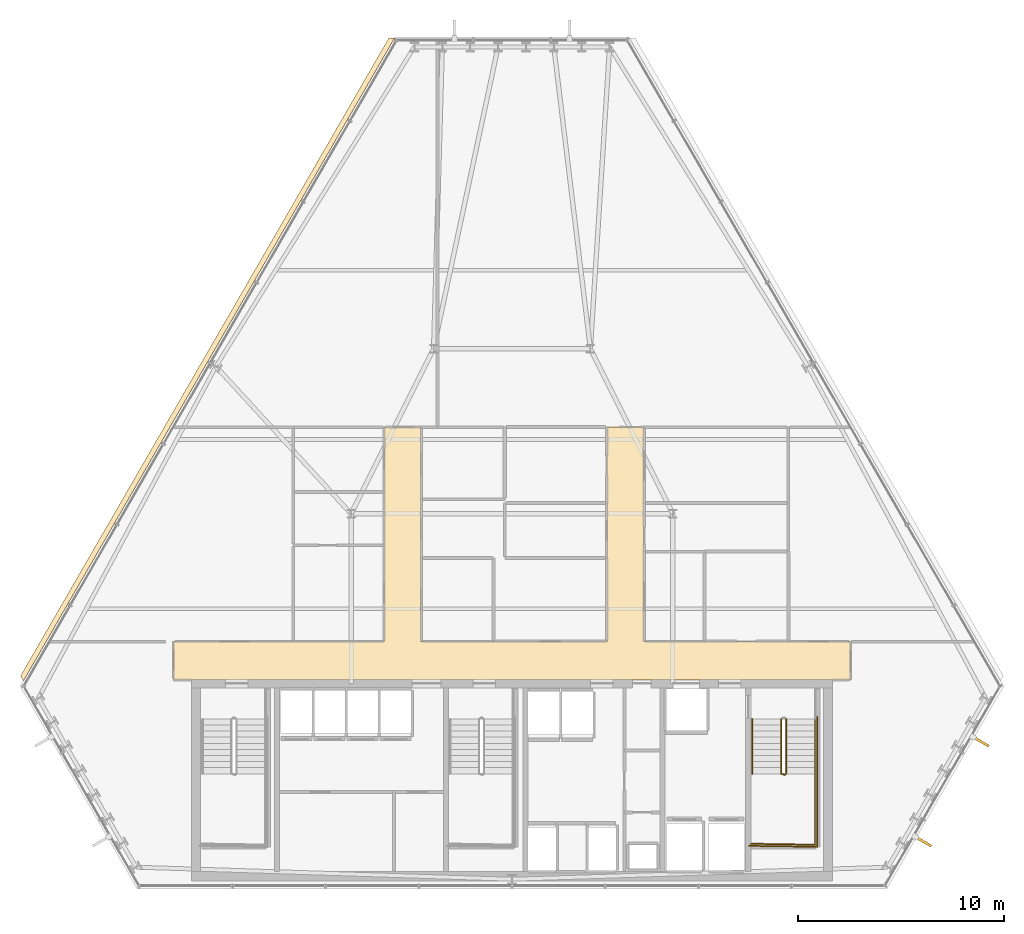
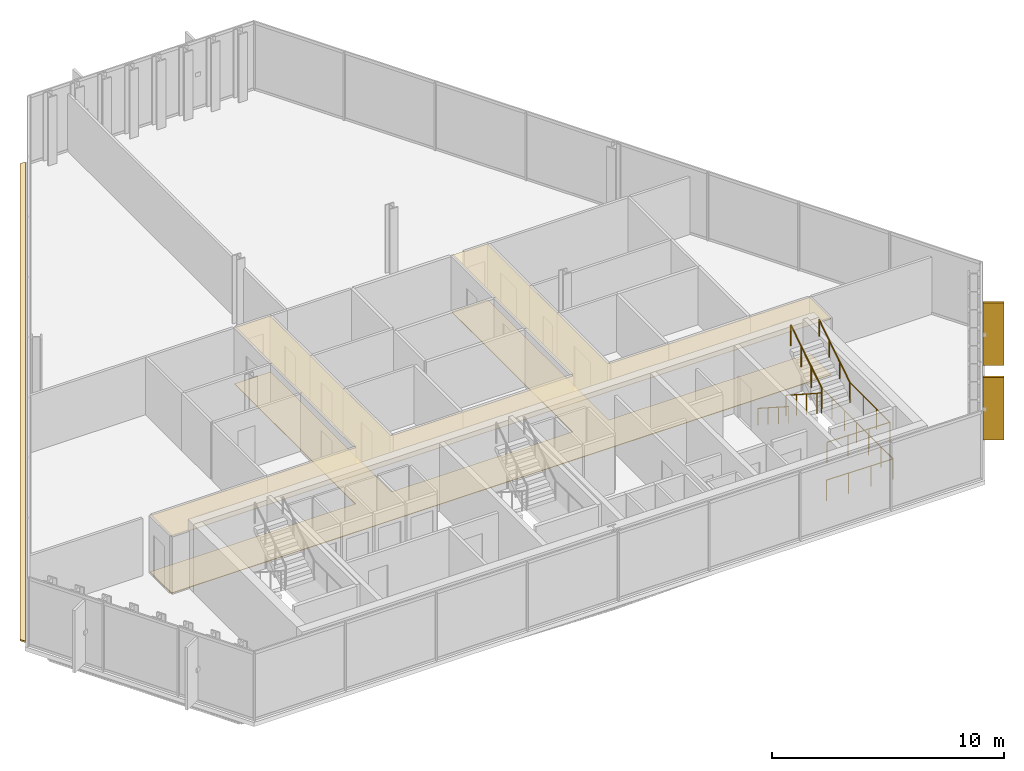
# One storey, part 31 of 33: 6 railings, 3 coverings, 2 shading devices.
"""IFC4 building model written with IfcOpenShell, lengths in metres."""

from ifc_helpers import new_model, si_unit, direction, frame, origin, origin_2d, place, context, subcontext, project, spatial, polyline, rectangle, circle, outline, extrude, material, layer, layer_set, type_object, element, save


model = new_model("IFC4")

# Units and contexts
model_context = context("Model", 3, precision=1e-05, world=origin(), true_north=direction((0.0, 1.0)))
body_context = subcontext(model_context, "Body", "Model", "MODEL_VIEW")
ifc_project = project(units=[si_unit("LENGTHUNIT", "METRE"), si_unit("AREAUNIT", "SQUARE_METRE"), si_unit("VOLUMEUNIT", "CUBIC_METRE"), si_unit("PLANEANGLEUNIT", "RADIAN"), si_unit("MASSUNIT", "GRAM", prefix="KILO")], contexts=[model_context])

# Site, building, storey
site_placement = place(None, origin())
site = spatial("IfcSite", under=ifc_project, at=site_placement, CompositionType="ELEMENT")
building_placement = place(site_placement, origin())
building = spatial("IfcBuilding", under=site, at=building_placement, Name="Ndaravel Arena Tower", CompositionType="ELEMENT")
storey_placement = place(building_placement, frame((0.0, 0.0, 149.800048828125)))
storey = spatial("IfcBuildingStorey", under=building, at=storey_placement, Name="L35", CompositionType="ELEMENT", Elevation=149.800048828125)

# Coverings
ifc_material_1 = material(Name="Acoustic Ceiling Tile", Category="finish")
ifc_layer_1 = layer(ifc_material_1, 0.02490234375)
ifc_layer_set_1 = layer_set([ifc_layer_1], Name="Acoustic Ceiling Tile")
covering_type_1 = type_object("IfcCoveringType", Name="COV-CEIL-AC600", PredefinedType="CEILING", material=ifc_layer_set_1)
covering_1_placement = place(storey_placement, frame((0.0, 0.0, 2.98046875)))
element("IfcCovering", 1, at=covering_1_placement, inside=storey, type_object=covering_type_1, Name="L35 Corridor Acoustic Ceiling", PredefinedType="CEILING", context=body_context, shape_type="SweptSolid", body=[
    extrude(outline(polyline([(58.39990234375, 17.0), (48.39990234375, 17.0), (48.39990234375, 27.39990234375), (46.60009765625, 27.39990234375), (46.60009765625, 17.0), (37.60009765625, 17.0), (37.60009765625, 27.39990234375), (35.800048828125, 27.39990234375), (35.800048828125, 17.0), (25.60009765625, 17.0), (25.60009765625, 15.14990234375), (58.39990234375, 15.14990234375), (58.39990234375, 17.0)])), origin(), (0.0, 0.0, 1.0), 0.02490234375),
])
ifc_material_2 = material(Name="Terrazzo", Category="stone")
ifc_layer_2 = layer(ifc_material_2, 0.030029296875)
ifc_layer_set_2 = layer_set([ifc_layer_2], Name="Terrazzo")
covering_type_2 = type_object("IfcCoveringType", Name="COV-FLOOR-TERRAZZO", PredefinedType="FLOORING", material=ifc_layer_set_2)
covering_2_placement = place(storey_placement, origin())
element("IfcCovering", 2, at=covering_2_placement, inside=storey, type_object=covering_type_2, Name="L35 Corridor Terrazzo Flooring", PredefinedType="FLOORING", context=body_context, shape_type="SweptSolid", body=[
    extrude(outline(polyline([(58.39990234375, 17.0), (48.39990234375, 17.0), (48.39990234375, 27.39990234375), (46.60009765625, 27.39990234375), (46.60009765625, 17.0), (37.60009765625, 17.0), (37.60009765625, 27.39990234375), (35.800048828125, 27.39990234375), (35.800048828125, 17.0), (25.60009765625, 17.0), (25.60009765625, 15.14990234375), (58.39990234375, 15.14990234375), (58.39990234375, 17.0)])), origin(), (0.0, 0.0, 1.0), 0.030029296875),
])
ifc_material_3 = material(Name="Roofing Membrane", Category="finish")
ifc_layer_3 = layer(ifc_material_3, 0.080078125)
ifc_layer_set_3 = layer_set([ifc_layer_3], Name="Roofing Membrane")
covering_type_3 = type_object("IfcCoveringType", Name="COV-ROOF-MEMB", PredefinedType="ROOFING", material=ifc_layer_set_3)
covering_3_placement = place(storey_placement, origin())
element("IfcCovering", 3, at=covering_3_placement, inside=storey, type_object=covering_type_3, Name="L35 Facet Setback Weathering Flashing", PredefinedType="ROOFING", context=body_context, shape_type="SweptSolid", body=[
    extrude(outline(polyline([(18.17578125, 15.34326171875), (36.0283203125, 46.264892578125), (36.310546875, 46.264892578125), (18.31689453125, 15.0986328125), (18.17578125, 15.34326171875)])), origin(), (0.0, 0.0, 1.0), 0.079833984375),
])

# Railings
ifc_material_4 = material(Name="Steel S355", Category="steel")
ifc_layer_4 = layer(ifc_material_4, 0.06005859375)
ifc_layer_set_4 = layer_set([ifc_layer_4], Name="Steel S355")
railing_type_1 = type_object("IfcRailingType", Name="RAIL-STAIR-GD1100", PredefinedType="GUARDRAIL", material=ifc_layer_set_4)
railing_1_placement = place(storey_placement, frame((55.050048828125, 13.25, 0.18994140625)))
element("IfcRailing", 4, at=railing_1_placement, inside=storey, type_object=railing_type_1, Name="L35 ST-3 stair guard 1", PredefinedType="GUARDRAIL", context=body_context, shape_type="SweptSolid", body=[
    extrude(circle(Radius=0.02392578125, at=origin_2d()), frame((0.0, 0.0, 1.076171875), z_axis=(0.0, -0.840723540582, 0.54146461409), x_axis=(1.0, 0.0, 0.0)), (0.0, 0.0, 1.0), 3.157958984375),
    extrude(circle(Radius=0.02392578125, at=origin_2d()), frame((0.0, -2.655029296875, 2.7861328125), z_axis=(0.966993988697, -0.254799187253, 0.0), x_axis=(0.254799187253, 0.966993988697, 0.0)), (0.0, 0.0, 1.0), 0.196533203125),
    extrude(circle(Radius=0.02099609375, at=origin_2d()), origin(), (0.0, 0.0, 1.0), 1.052001953125),
    extrude(circle(Radius=0.02099609375, at=origin_2d()), frame((0.0, -0.885009765625, 0.570068359375)), (0.0, 0.0, 1.0), 1.052001953125),
    extrude(circle(Radius=0.02099609375, at=origin_2d()), frame((0.0, -1.77001953125, 1.139892578125)), (0.0, 0.0, 1.0), 1.052001953125),
    extrude(circle(Radius=0.02099609375, at=origin_2d()), frame((0.0, -2.655029296875, 1.7099609375)), (0.0, 0.0, 1.0), 1.052001953125),
    extrude(circle(Radius=0.02099609375, at=origin_2d()), frame((0.18994140625, -2.705078125, 1.7099609375)), (0.0, 0.0, 1.0), 1.052001953125),
])
railing_2_placement = place(storey_placement, frame((56.68994140625, 10.594970703125, 1.89990234375)))
element("IfcRailing", 5, at=railing_2_placement, inside=storey, type_object=railing_type_1, Name="L35 ST-3 stair guard 2", PredefinedType="GUARDRAIL", context=body_context, shape_type="SweptSolid", body=[
    extrude(circle(Radius=0.02392578125, at=origin_2d()), frame((0.0, 0.0, 1.076171875), z_axis=(0.0, -1.0, 0.0), x_axis=(1.0, 0.0, 0.0)), (0.0, 0.0, 1.0), 3.445068359375),
    extrude(circle(Radius=0.02392578125, at=origin_2d()), frame((0.0, -3.445068359375, 1.076171875), z_axis=(-0.999868840623, 0.016195726322, 0.0), x_axis=(-0.016195726322, -0.999868840623, 0.0)), (0.0, 0.0, 1.0), 3.09033203125),
    extrude(circle(Radius=0.02099609375, at=origin_2d()), origin(), (0.0, 0.0, 1.0), 1.052001953125),
    extrude(circle(Radius=0.02099609375, at=origin_2d()), frame((0.0, -1.1484375, 0.0)), (0.0, 0.0, 1.0), 1.052001953125),
    extrude(circle(Radius=0.02099609375, at=origin_2d()), frame((0.0, -2.296630859375, 0.0)), (0.0, 0.0, 1.0), 1.052001953125),
    extrude(circle(Radius=0.02099609375, at=origin_2d()), frame((0.0, -3.445068359375, 0.0)), (0.0, 0.0, 1.0), 1.052001953125),
    extrude(circle(Radius=0.02099609375, at=origin_2d()), frame((-1.030029296875, -3.428466796875, 0.0)), (0.0, 0.0, 1.0), 1.052001953125),
    extrude(circle(Radius=0.02099609375, at=origin_2d()), frame((-2.059814453125, -3.41162109375, 0.0)), (0.0, 0.0, 1.0), 1.052001953125),
    extrude(circle(Radius=0.02099609375, at=origin_2d()), frame((-3.08984375, -3.39501953125, 0.0)), (0.0, 0.0, 1.0), 1.052001953125),
])
railing_3_placement = place(storey_placement, frame((55.2900390625, 10.594970703125, 2.08984375)))
element("IfcRailing", 6, at=railing_3_placement, inside=storey, type_object=railing_type_1, Name="L35 ST-3 stair guard 3", PredefinedType="GUARDRAIL", context=body_context, shape_type="SweptSolid", body=[
    extrude(circle(Radius=0.02392578125, at=origin_2d()), frame((0.0, 0.0, 1.076171875), z_axis=(0.0, 0.840688348013, 0.541519253134), x_axis=(-1.0, 0.0, 0.0)), (0.0, 0.0, 1.0), 3.158203125),
    extrude(circle(Radius=0.02099609375, at=origin_2d()), origin(), (0.0, 0.0, 1.0), 1.052001953125),
    extrude(circle(Radius=0.02099609375, at=origin_2d()), frame((0.0, 0.885009765625, 0.570068359375)), (0.0, 0.0, 1.0), 1.052001953125),
    extrude(circle(Radius=0.02099609375, at=origin_2d()), frame((0.0, 1.77001953125, 1.14013671875)), (0.0, 0.0, 1.0), 1.052001953125),
    extrude(circle(Radius=0.02099609375, at=origin_2d()), frame((0.0, 2.655029296875, 1.710205078125)), (0.0, 0.0, 1.0), 1.052001953125),
])
railing_4_placement = place(storey_placement, frame((56.7900390625, 13.35009765625, 0.0)))
element("IfcRailing", 7, at=railing_4_placement, inside=storey, type_object=railing_type_1, Name="L35 ST-3 stair guard 6", PredefinedType="GUARDRAIL", context=body_context, shape_type="SweptSolid", body=[
    extrude(circle(Radius=0.02392578125, at=origin_2d()), frame((0.0, 0.0, 1.076171875), z_axis=(0.0, -1.0, 0.0), x_axis=(1.0, 0.0, 0.0)), (0.0, 0.0, 1.0), 6.300048828125),
    extrude(circle(Radius=0.02392578125, at=origin_2d()), frame((0.0, -6.300048828125, 1.076171875), z_axis=(-0.99988431412, 0.015210469308, 0.0), x_axis=(-0.015210469308, -0.99988431412, 0.0)), (0.0, 0.0, 1.0), 3.29052734375),
    extrude(circle(Radius=0.02099609375, at=origin_2d()), origin(), (0.0, 0.0, 1.0), 1.052001953125),
    extrude(circle(Radius=0.02099609375, at=origin_2d()), frame((0.0, -1.050048828125, 0.0)), (0.0, 0.0, 1.0), 1.052001953125),
    extrude(circle(Radius=0.02099609375, at=origin_2d()), frame((0.0, -2.10009765625, 0.0)), (0.0, 0.0, 1.0), 1.052001953125),
    extrude(circle(Radius=0.02099609375, at=origin_2d()), frame((0.0, -3.14990234375, 0.0)), (0.0, 0.0, 1.0), 1.052001953125),
    extrude(circle(Radius=0.02099609375, at=origin_2d()), frame((0.0, -4.199951171875, 0.0)), (0.0, 0.0, 1.0), 1.052001953125),
    extrude(circle(Radius=0.02099609375, at=origin_2d()), frame((0.0, -5.25, 0.0)), (0.0, 0.0, 1.0), 1.052001953125),
    extrude(circle(Radius=0.02099609375, at=origin_2d()), frame((0.0, -6.300048828125, 0.0)), (0.0, 0.0, 1.0), 1.052001953125),
    extrude(circle(Radius=0.02099609375, at=origin_2d()), frame((-1.0966796875, -6.283447265625, 0.0)), (0.0, 0.0, 1.0), 1.052001953125),
    extrude(circle(Radius=0.02099609375, at=origin_2d()), frame((-2.193359375, -6.2666015625, 0.0)), (0.0, 0.0, 1.0), 1.052001953125),
    extrude(circle(Radius=0.02099609375, at=origin_2d()), frame((-3.2900390625, -6.25, 0.0)), (0.0, 0.0, 1.0), 1.052001953125),
])
ifc_material_5 = material(Name="Steel S355", Category="steel")
ifc_layer_5 = layer(ifc_material_5, 0.050048828125)
ifc_layer_set_5 = layer_set([ifc_layer_5], Name="Steel S355")
railing_type_2 = type_object("IfcRailingType", Name="RAIL-STAIR-HR920", PredefinedType="HANDRAIL", material=ifc_layer_set_5)
railing_5_placement = place(storey_placement, frame((53.64990234375, 13.25, 0.18994140625)))
element("IfcRailing", 8, at=railing_5_placement, inside=storey, type_object=railing_type_2, Name="L35 ST-3 stair handrail 1", PredefinedType="HANDRAIL", context=body_context, shape_type="SweptSolid", body=[
    extrude(circle(Radius=0.02392578125, at=origin_2d()), frame((0.0, 0.0, 0.8759765625), z_axis=(0.0, -0.840723540582, 0.54146461409), x_axis=(1.0, 0.0, 0.0)), (0.0, 0.0, 1.0), 3.157958984375),
    extrude(circle(Radius=0.02099609375, at=origin_2d()), origin(), (0.0, 0.0, 1.0), 0.851806640625),
    extrude(circle(Radius=0.02099609375, at=origin_2d()), frame((0.0, -0.885009765625, 0.570068359375)), (0.0, 0.0, 1.0), 0.851806640625),
    extrude(circle(Radius=0.02099609375, at=origin_2d()), frame((0.0, -1.77001953125, 1.139892578125)), (0.0, 0.0, 1.0), 0.851806640625),
    extrude(circle(Radius=0.02099609375, at=origin_2d()), frame((0.0, -2.655029296875, 1.7099609375)), (0.0, 0.0, 1.0), 0.851806640625),
])
railing_6_placement = place(storey_placement, frame((56.68994140625, 10.594970703125, 2.08984375)))
element("IfcRailing", 9, at=railing_6_placement, inside=storey, type_object=railing_type_2, Name="L35 ST-3 stair handrail 2", PredefinedType="HANDRAIL", context=body_context, shape_type="SweptSolid", body=[
    extrude(circle(Radius=0.02392578125, at=origin_2d()), frame((0.0, 0.0, 0.8759765625), z_axis=(0.0, 0.840688348013, 0.541519253134), x_axis=(-1.0, 0.0, 0.0)), (0.0, 0.0, 1.0), 3.158203125),
    extrude(circle(Radius=0.02099609375, at=origin_2d()), origin(), (0.0, 0.0, 1.0), 0.851806640625),
    extrude(circle(Radius=0.02099609375, at=origin_2d()), frame((0.0, 0.885009765625, 0.570068359375)), (0.0, 0.0, 1.0), 0.851806640625),
    extrude(circle(Radius=0.02099609375, at=origin_2d()), frame((0.0, 1.77001953125, 1.14013671875)), (0.0, 0.0, 1.0), 0.851806640625),
    extrude(circle(Radius=0.02099609375, at=origin_2d()), frame((0.0, 2.655029296875, 1.710205078125)), (0.0, 0.0, 1.0), 0.851806640625),
])

# Shading devices
ifc_material_6 = material(Name="Masonry", Category="masonry")
shading_device_type = type_object("IfcShadingDeviceType", Name="SHD-MAZERAS-FIN", PredefinedType="SHUTTER", material=ifc_material_6)
for number, where, z_axis, x_axis, name in (
    (10, (61.936279296875, 7.314208984375, 0.14990234375), (0.0, 0.0, 1.0), (0.866025403784, -0.5, 0.0), "L35 Mazeras Stone Solar Fin E2.1"),
    (11, (64.732177734375, 12.156982421875, 0.14990234375), (0.0, 0.0, 1.0), (0.866025403784, -0.5, 0.0), "L35 Mazeras Stone Solar Fin E2.2"),
):
    element("IfcShadingDevice", number, at=place(storey_placement, frame(where, z_axis=z_axis, x_axis=x_axis)), inside=storey, type_object=shading_device_type, Name=name, PredefinedType="SHUTTER", context=body_context, shape_type="SweptSolid", body=[
        extrude(rectangle(XDim=0.89990234375, YDim=0.1201171875, at=origin_2d()), origin(), (0.0, 0.0, 1.0), 3.280029296875),
    ])

save(model, "model.ifc")
